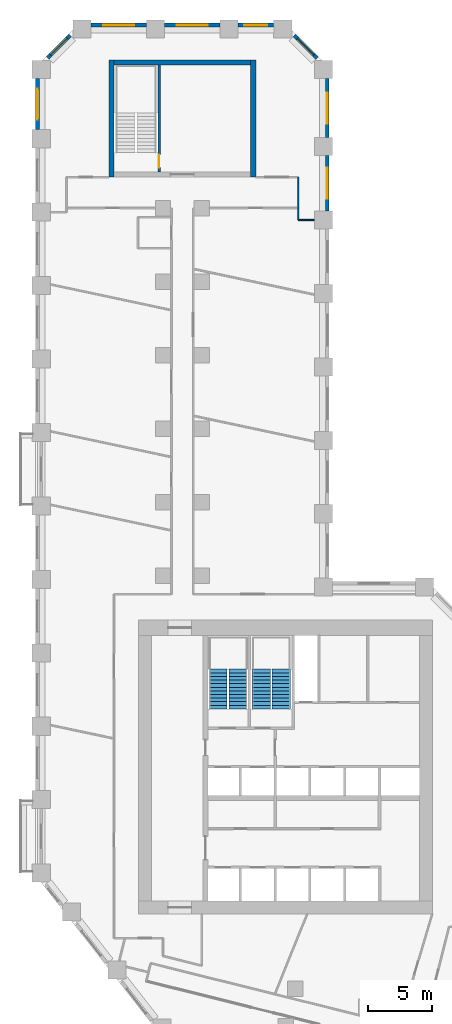
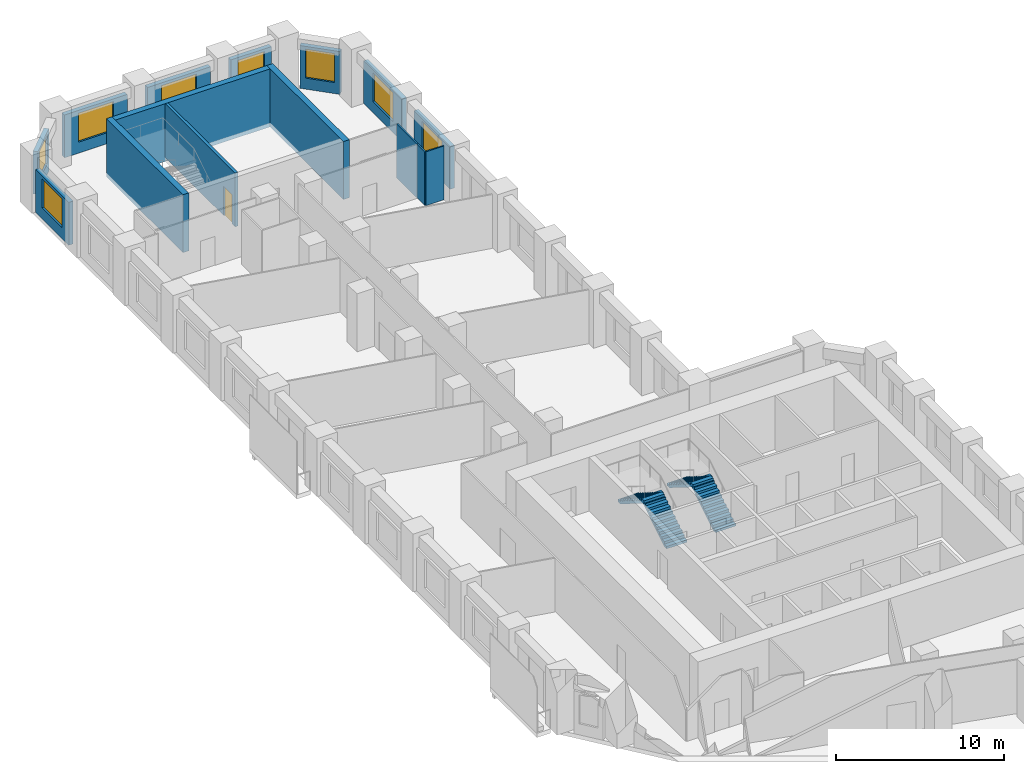
# One storey, part 9 of 11: 15 walls, 8 windows, 4 stair flights, 1 door, 9 openings, 2 elements without a shape of their own.
"""IFC4 building model written with IfcOpenShell, lengths in metres."""

from ifc_helpers import new_model, si_unit, direction, frame, frame_2d, origin, place, context, subcontext, project, spatial, polyline, rectangle, outline, extrude, material, layer, layer_set, type_object, element, fill, aggregate, save


model = new_model("IFC4")

# Units and contexts
model_context = context("Model", 3, precision=1e-05, world=origin(), true_north=direction((0.0, 1.0)))
body_context = subcontext(model_context, "Body", "Model", "MODEL_VIEW")
ifc_project = project(units=[si_unit("LENGTHUNIT", "METRE"), si_unit("AREAUNIT", "SQUARE_METRE"), si_unit("VOLUMEUNIT", "CUBIC_METRE"), si_unit("PLANEANGLEUNIT", "RADIAN"), si_unit("MASSUNIT", "GRAM", prefix="KILO")], contexts=[model_context])

# Site, building, storey
site_placement = place(None, origin())
site = spatial("IfcSite", under=ifc_project, at=site_placement, CompositionType="ELEMENT")
building_placement = place(site_placement, origin())
building = spatial("IfcBuilding", under=site, at=building_placement, Name="Meshkara Civic Tower", CompositionType="ELEMENT")
storey_placement = place(building_placement, frame((0.0, 0.0, 41.39990234375)))
storey = spatial("IfcBuildingStorey", under=building, at=storey_placement, Name="L08", CompositionType="ELEMENT", Elevation=41.39990234375)

# Wall
ifc_material_1 = material(Name="Corridor wall 100")
ifc_layer_1 = layer(ifc_material_1, 0.10009765625)
ifc_layer_set_1 = layer_set([ifc_layer_1], Name="Corridor wall 100")
wall_type_1 = type_object("IfcWallType", Name="Corridor wall 100", PredefinedType="PARTITIONING", material=ifc_layer_set_1)
wall_1_placement = place(storey_placement, frame((20.39990234375, 68.8701171875, 0.0), z_axis=(0.0, 0.0, 1.0), x_axis=(0.0, 1.0, 0.0)))
element("IfcWall", 1, at=wall_1_placement, inside=storey, type_object=wall_type_1, Name="L08-W016", PredefinedType="PARTITIONING", context=body_context, shape_type="SweptSolid", body=[
    extrude(rectangle(XDim=2.39990234375, YDim=0.10009765625, at=frame_2d((1.199951171875, 0.0))), origin(), (0.0, 0.0, 1.0), 3.900146484375),
])

# Wall, opening, window
ifc_material_2 = material(Name="Insulated infill panel with bronze anodised aluminium cladding", Category="aluminium")
ifc_layer_2 = layer(ifc_material_2, 0.300048828125)
ifc_layer_set_2 = layer_set([ifc_layer_2], Name="EXTERNAL INFILL WALL 300")
wall_type_2 = type_object("IfcWallType", Name="EXTERNAL INFILL WALL 300", PredefinedType="SOLIDWALL", material=ifc_layer_set_2)
wall_2_placement = place(storey_placement, frame((22.64990234375, 68.64990234375, 0.0), z_axis=(0.0, 0.0, 1.0), x_axis=(0.0, 1.0, 0.0)))
wall_2 = element("IfcWall", 2, at=wall_2_placement, inside=storey, type_object=wall_type_2, Name="External wall", PredefinedType="SOLIDWALL", context=body_context, shape_type="SweptSolid", body=[
    extrude(rectangle(XDim=4.300048828125, YDim=0.300048828125, at=frame_2d((2.14990234375, 0.0))), origin(), (0.0, 0.0, 1.0), 3.10009765625),
])
opening_1_placement = place(wall_2_placement, frame((0.949951171875, 0.0, 0.800048828125)))
opening_1 = element("IfcOpeningElement", 3, at=opening_1_placement, cuts=wall_2, Name="Opening W7", PredefinedType="OPENING", context=body_context, shape_type="SweptSolid", body=[
    extrude(rectangle(XDim=2.39990234375, YDim=2.10009765625, at=frame_2d((1.199951171875, 1.050048828125))), frame((0.0, 0.159912109375, 0.0), z_axis=(0.0, -1.0, 0.0), x_axis=(1.0, 0.0, 0.0)), (0.0, 0.0, 1.0), 0.320068359375),
])
ifc_material_3 = material(Name="Tinted double glazing", Category="glass")
window_type_1 = type_object("IfcWindowType", Name="WINDOW 2400x2100", PartitioningType="DOUBLE_PANEL_VERTICAL", PredefinedType="WINDOW", material=ifc_material_3)
window_1_placement = place(opening_1_placement, origin())
window_1 = element("IfcWindow", 4, at=window_1_placement, inside=storey, type_object=window_type_1, Name="Window", OverallHeight=2.10009765625, OverallWidth=2.39990234375, PartitioningType="DOUBLE_PANEL_VERTICAL", PredefinedType="WINDOW", context=body_context, shape_type="SweptSolid", body=[
    extrude(rectangle(XDim=2.39990234375, YDim=2.10009765625, at=frame_2d((1.199951171875, 1.050048828125))), frame((0.0, 0.030029296875, 0.0), z_axis=(0.0, -1.0, 0.0), x_axis=(1.0, 0.0, 0.0)), (0.0, 0.0, 1.0), 0.06005859375),
])
fill(opening_1, window_1)

wall_3_placement = place(storey_placement, frame((22.64990234375, 74.35009765625, 0.0), z_axis=(0.0, 0.0, 1.0), x_axis=(0.0, 1.0, 0.0)))
wall_3 = element("IfcWall", 5, at=wall_3_placement, inside=storey, type_object=wall_type_2, Name="External wall", PredefinedType="SOLIDWALL", context=body_context, shape_type="SweptSolid", body=[
    extrude(rectangle(XDim=4.56396484375, YDim=0.300048828125, at=frame_2d((2.281982421875, 0.0))), origin(), (0.0, 0.0, 1.0), 3.10009765625),
])
opening_2_placement = place(wall_3_placement, frame((1.08203125, 0.0, 0.800048828125)))
opening_2 = element("IfcOpeningElement", 6, at=opening_2_placement, cuts=wall_3, Name="Opening W7", PredefinedType="OPENING", context=body_context, shape_type="SweptSolid", body=[
    extrude(rectangle(XDim=2.39990234375, YDim=2.10009765625, at=frame_2d((1.199951171875, 1.050048828125))), frame((0.0, 0.159912109375, 0.0), z_axis=(0.0, -1.0, 0.0), x_axis=(1.0, 0.0, 0.0)), (0.0, 0.0, 1.0), 0.320068359375),
])
window_2_placement = place(opening_2_placement, origin())
window_2 = element("IfcWindow", 7, at=window_2_placement, inside=storey, type_object=window_type_1, Name="Window", OverallHeight=2.10009765625, OverallWidth=2.39990234375, PartitioningType="DOUBLE_PANEL_VERTICAL", PredefinedType="WINDOW", context=body_context, shape_type="SweptSolid", body=[
    extrude(rectangle(XDim=2.39990234375, YDim=2.10009765625, at=frame_2d((1.199951171875, 1.050048828125))), frame((0.0, 0.030029296875, 0.0), z_axis=(0.0, -1.0, 0.0), x_axis=(1.0, 0.0, 0.0)), (0.0, 0.0, 1.0), 0.06005859375),
])
fill(opening_2, window_2)

wall_4_placement = place(storey_placement, frame((21.862060546875, 80.52587890625, 0.0), z_axis=(0.0, 0.0, 1.0), x_axis=(-0.707106781187, 0.707106781187, 0.0)))
wall_4 = element("IfcWall", 8, at=wall_4_placement, inside=storey, type_object=wall_type_2, Name="External wall", PredefinedType="SOLIDWALL", context=body_context, shape_type="SweptSolid", body=[
    extrude(rectangle(XDim=2.4833984375, YDim=0.300048828125, at=frame_2d((1.24169921875, 0.0))), origin(), (0.0, 0.0, 1.0), 3.10009765625),
])
opening_3_placement = place(wall_4_placement, frame((0.342041015625, 0.0, 0.800048828125)))
opening_3 = element("IfcOpeningElement", 9, at=opening_3_placement, cuts=wall_4, Name="Opening W9", PredefinedType="OPENING", context=body_context, shape_type="SweptSolid", body=[
    extrude(rectangle(XDim=1.800048828125, YDim=2.10009765625, at=frame_2d((0.89990234375, 1.050048828125))), frame((0.0, 0.159912109375, 0.0), z_axis=(0.0, -1.0, 0.0), x_axis=(1.0, 0.0, 0.0)), (0.0, 0.0, 1.0), 0.320068359375),
])
ifc_material_4 = material(Name="Tinted double glazing", Category="glass")
window_type_2 = type_object("IfcWindowType", Name="WINDOW 1800x2100", PartitioningType="DOUBLE_PANEL_VERTICAL", PredefinedType="WINDOW", material=ifc_material_4)
window_3_placement = place(opening_3_placement, origin())
window_3 = element("IfcWindow", 10, at=window_3_placement, inside=storey, type_object=window_type_2, Name="Window", OverallHeight=2.10009765625, OverallWidth=1.800048828125, PartitioningType="DOUBLE_PANEL_VERTICAL", PredefinedType="WINDOW", context=body_context, shape_type="SweptSolid", body=[
    extrude(rectangle(XDim=1.800048828125, YDim=2.10009765625, at=frame_2d((0.89990234375, 1.050048828125))), frame((0.0, 0.030029296875, 0.0), z_axis=(0.0, -1.0, 0.0), x_axis=(1.0, 0.0, 0.0)), (0.0, 0.0, 1.0), 0.06005859375),
])
fill(opening_3, window_3)

wall_5_placement = place(storey_placement, frame((18.493896484375, 83.070068359375, 0.0), z_axis=(0.0, 0.0, 1.0), x_axis=(-1.0, 0.0, 0.0)))
wall_5 = element("IfcWall", 11, at=wall_5_placement, inside=storey, type_object=wall_type_2, Name="External wall", PredefinedType="SOLIDWALL", context=body_context, shape_type="SweptSolid", body=[
    extrude(rectangle(XDim=2.787841796875, YDim=0.300048828125, at=frame_2d((1.39404296875, 0.0))), origin(), (0.0, 0.0, 1.0), 3.10009765625),
])
opening_4_placement = place(wall_5_placement, frame((0.493896484375, 0.0, 0.800048828125)))
opening_4 = element("IfcOpeningElement", 12, at=opening_4_placement, cuts=wall_5, Name="Opening W9", PredefinedType="OPENING", context=body_context, shape_type="SweptSolid", body=[
    extrude(rectangle(XDim=1.800048828125, YDim=2.10009765625, at=frame_2d((0.89990234375, 1.050048828125))), frame((0.0, 0.159912109375, 0.0), z_axis=(0.0, -1.0, 0.0), x_axis=(1.0, 0.0, 0.0)), (0.0, 0.0, 1.0), 0.320068359375),
])
window_4_placement = place(opening_4_placement, origin())
window_4 = element("IfcWindow", 13, at=window_4_placement, inside=storey, type_object=window_type_2, Name="Window", OverallHeight=2.10009765625, OverallWidth=1.800048828125, PartitioningType="DOUBLE_PANEL_VERTICAL", PredefinedType="WINDOW", context=body_context, shape_type="SweptSolid", body=[
    extrude(rectangle(XDim=1.800048828125, YDim=2.10009765625, at=frame_2d((0.89990234375, 1.050048828125))), frame((0.0, 0.030029296875, 0.0), z_axis=(0.0, -1.0, 0.0), x_axis=(1.0, 0.0, 0.0)), (0.0, 0.0, 1.0), 0.06005859375),
])
fill(opening_4, window_4)

wall_6_placement = place(storey_placement, frame((14.305908203125, 83.070068359375, 0.0), z_axis=(0.0, 0.0, 1.0), x_axis=(-1.0, 0.0, 0.0)))
wall_6 = element("IfcWall", 14, at=wall_6_placement, inside=storey, type_object=wall_type_2, Name="External wall", PredefinedType="SOLIDWALL", context=body_context, shape_type="SweptSolid", body=[
    extrude(rectangle(XDim=4.2998046875, YDim=0.300048828125, at=frame_2d((2.14990234375, 0.0))), origin(), (0.0, 0.0, 1.0), 3.10009765625),
])
opening_5_placement = place(wall_6_placement, frame((0.949951171875, 0.0, 0.800048828125)))
opening_5 = element("IfcOpeningElement", 15, at=opening_5_placement, cuts=wall_6, Name="Opening W7", PredefinedType="OPENING", context=body_context, shape_type="SweptSolid", body=[
    extrude(rectangle(XDim=2.39990234375, YDim=2.10009765625, at=frame_2d((1.199951171875, 1.050048828125))), frame((0.0, 0.159912109375, 0.0), z_axis=(0.0, -1.0, 0.0), x_axis=(1.0, 0.0, 0.0)), (0.0, 0.0, 1.0), 0.320068359375),
])
window_5_placement = place(opening_5_placement, origin())
window_5 = element("IfcWindow", 16, at=window_5_placement, inside=storey, type_object=window_type_1, Name="Window", OverallHeight=2.10009765625, OverallWidth=2.39990234375, PartitioningType="DOUBLE_PANEL_VERTICAL", PredefinedType="WINDOW", context=body_context, shape_type="SweptSolid", body=[
    extrude(rectangle(XDim=2.39990234375, YDim=2.10009765625, at=frame_2d((1.199951171875, 1.050048828125))), frame((0.0, 0.030029296875, 0.0), z_axis=(0.0, -1.0, 0.0), x_axis=(1.0, 0.0, 0.0)), (0.0, 0.0, 1.0), 0.06005859375),
])
fill(opening_5, window_5)

wall_7_placement = place(storey_placement, frame((8.60595703125, 83.070068359375, 0.0), z_axis=(0.0, 0.0, 1.0), x_axis=(-1.0, 0.0, 0.0)))
wall_7 = element("IfcWall", 17, at=wall_7_placement, inside=storey, type_object=wall_type_2, Name="External wall", PredefinedType="SOLIDWALL", context=body_context, shape_type="SweptSolid", body=[
    extrude(rectangle(XDim=4.300048828125, YDim=0.300048828125, at=frame_2d((2.14990234375, 0.0))), origin(), (0.0, 0.0, 1.0), 3.10009765625),
])
opening_6_placement = place(wall_7_placement, frame((0.949951171875, 0.0, 0.800048828125)))
opening_6 = element("IfcOpeningElement", 18, at=opening_6_placement, cuts=wall_7, Name="Opening W7", PredefinedType="OPENING", context=body_context, shape_type="SweptSolid", body=[
    extrude(rectangle(XDim=2.39990234375, YDim=2.10009765625, at=frame_2d((1.199951171875, 1.050048828125))), frame((0.0, 0.159912109375, 0.0), z_axis=(0.0, -1.0, 0.0), x_axis=(1.0, 0.0, 0.0)), (0.0, 0.0, 1.0), 0.320068359375),
])
window_6_placement = place(opening_6_placement, origin())
window_6 = element("IfcWindow", 19, at=window_6_placement, inside=storey, type_object=window_type_1, Name="Window", OverallHeight=2.10009765625, OverallWidth=2.39990234375, PartitioningType="DOUBLE_PANEL_VERTICAL", PredefinedType="WINDOW", context=body_context, shape_type="SweptSolid", body=[
    extrude(rectangle(XDim=2.39990234375, YDim=2.10009765625, at=frame_2d((1.199951171875, 1.050048828125))), frame((0.0, 0.030029296875, 0.0), z_axis=(0.0, -1.0, 0.0), x_axis=(1.0, 0.0, 0.0)), (0.0, 0.0, 1.0), 0.06005859375),
])
fill(opening_6, window_6)

wall_8_placement = place(storey_placement, frame((2.694091796875, 82.281982421875, 0.0), z_axis=(0.0, 0.0, 1.0), x_axis=(-0.707106781187, -0.707106781187, 0.0)))
wall_8 = element("IfcWall", 20, at=wall_8_placement, inside=storey, type_object=wall_type_2, Name="External wall", PredefinedType="SOLIDWALL", context=body_context, shape_type="SweptSolid", body=[
    extrude(rectangle(XDim=2.4833984375, YDim=0.300048828125, at=frame_2d((1.24169921875, 0.0))), origin(), (0.0, 0.0, 1.0), 3.10009765625),
])
opening_7_placement = place(wall_8_placement, frame((0.342041015625, 0.0, 0.800048828125)))
opening_7 = element("IfcOpeningElement", 21, at=opening_7_placement, cuts=wall_8, Name="Opening W9", PredefinedType="OPENING", context=body_context, shape_type="SweptSolid", body=[
    extrude(rectangle(XDim=1.800048828125, YDim=2.10009765625, at=frame_2d((0.89990234375, 1.050048828125))), frame((0.0, 0.159912109375, 0.0), z_axis=(0.0, -1.0, 0.0), x_axis=(1.0, 0.0, 0.0)), (0.0, 0.0, 1.0), 0.320068359375),
])
window_7_placement = place(opening_7_placement, origin())
window_7 = element("IfcWindow", 22, at=window_7_placement, inside=storey, type_object=window_type_2, Name="Window", OverallHeight=2.10009765625, OverallWidth=1.800048828125, PartitioningType="DOUBLE_PANEL_VERTICAL", PredefinedType="WINDOW", context=body_context, shape_type="SweptSolid", body=[
    extrude(rectangle(XDim=1.800048828125, YDim=2.10009765625, at=frame_2d((0.89990234375, 1.050048828125))), frame((0.0, 0.030029296875, 0.0), z_axis=(0.0, -1.0, 0.0), x_axis=(1.0, 0.0, 0.0)), (0.0, 0.0, 1.0), 0.06005859375),
])
fill(opening_7, window_7)

wall_9_placement = place(storey_placement, frame((0.14990234375, 78.9140625, 0.0), z_axis=(0.0, 0.0, 1.0), x_axis=(0.0, -1.0, 0.0)))
wall_9 = element("IfcWall", 23, at=wall_9_placement, inside=storey, type_object=wall_type_2, Name="External wall", PredefinedType="SOLIDWALL", context=body_context, shape_type="SweptSolid", body=[
    extrude(rectangle(XDim=3.958984375, YDim=0.300048828125, at=frame_2d((1.9794921875, 0.0))), origin(), (0.0, 0.0, 1.0), 3.10009765625),
])
opening_8_placement = place(wall_9_placement, frame((0.780029296875, 0.0, 0.800048828125)))
opening_8 = element("IfcOpeningElement", 24, at=opening_8_placement, cuts=wall_9, Name="Opening W7", PredefinedType="OPENING", context=body_context, shape_type="SweptSolid", body=[
    extrude(rectangle(XDim=2.39990234375, YDim=2.10009765625, at=frame_2d((1.199951171875, 1.050048828125))), frame((0.0, 0.159912109375, 0.0), z_axis=(0.0, -1.0, 0.0), x_axis=(1.0, 0.0, 0.0)), (0.0, 0.0, 1.0), 0.320068359375),
])
window_8_placement = place(opening_8_placement, origin())
window_8 = element("IfcWindow", 25, at=window_8_placement, inside=storey, type_object=window_type_1, Name="Window", OverallHeight=2.10009765625, OverallWidth=2.39990234375, PartitioningType="DOUBLE_PANEL_VERTICAL", PredefinedType="WINDOW", context=body_context, shape_type="SweptSolid", body=[
    extrude(rectangle(XDim=2.39990234375, YDim=2.10009765625, at=frame_2d((1.199951171875, 1.050048828125))), frame((0.0, 0.030029296875, 0.0), z_axis=(0.0, -1.0, 0.0), x_axis=(1.0, 0.0, 0.0)), (0.0, 0.0, 1.0), 0.06005859375),
])
fill(opening_8, window_8)

# Walls
ifc_material_5 = material(Name="Concrete C80", Category="concrete")
ifc_layer_3 = layer(ifc_material_5, 0.39990234375)
ifc_layer_set_3 = layer_set([ifc_layer_3], Name="End core ring wall 400 C80")
wall_type_3 = type_object("IfcWallType", Name="End core ring wall 400 C80", PredefinedType="SHEAR", material=ifc_layer_set_3)
for number, where, z_axis, x_axis, name in (
    (26, (5.89990234375, 71.27001953125, -0.2998046875), (0.0, 0.0, 1.0), (0.0, 1.0, 0.0), "L08-C026"),
    (27, (16.89990234375, 71.27001953125, -0.2998046875), (0.0, 0.0, 1.0), (0.0, 1.0, 0.0), "L08-C027"),
):
    element("IfcWall", number, at=place(storey_placement, frame(where, z_axis=z_axis, x_axis=x_axis)), inside=storey, type_object=wall_type_3, Name=name, PredefinedType="SHEAR", context=body_context, shape_type="SweptSolid", body=[
        extrude(rectangle(XDim=9.10009765625, YDim=0.39990234375, at=frame_2d((4.550048828125, 0.0))), origin(), (0.0, 0.0, 1.0), 4.199951171875),
    ])
wall_10_placement = place(storey_placement, frame((6.10009765625, 80.169921875, -0.2998046875), z_axis=(0.0, 0.0, 1.0), x_axis=(1.0, 0.0, 0.0)))
element("IfcWall", 28, at=wall_10_placement, inside=storey, type_object=wall_type_3, Name="L08-C029", PredefinedType="SHEAR", context=body_context, shape_type="SweptSolid", body=[
    extrude(rectangle(XDim=10.599853515625, YDim=0.39990234375, at=frame_2d((5.2998046875, 0.0))), origin(), (0.0, 0.0, 1.0), 4.199951171875),
])
ifc_material_6 = material(Name="Partition 100")
ifc_layer_4 = layer(ifc_material_6, 0.10009765625)
ifc_layer_set_4 = layer_set([ifc_layer_4], Name="Partition 100")
wall_type_4 = type_object("IfcWallType", Name="Partition 100", PredefinedType="PARTITIONING", material=ifc_layer_set_4)
wall_11_placement = place(storey_placement, frame((20.39990234375, 67.949951171875, 0.0), z_axis=(0.0, 0.0, 1.0), x_axis=(0.0, 1.0, 0.0)))
element("IfcWall", 29, at=wall_11_placement, inside=storey, type_object=wall_type_4, Name="L08-W043", PredefinedType="PARTITIONING", context=body_context, shape_type="SweptSolid", body=[
    extrude(rectangle(XDim=0.924072265625, YDim=0.10009765625, at=frame_2d((0.4619140625, 0.0))), origin(), (0.0, 0.0, 1.0), 3.900146484375),
])
wall_12_placement = place(storey_placement, frame((21.64990234375, 67.949951171875, 0.0), z_axis=(0.0, 0.0, 1.0), x_axis=(-1.0, 0.0, 0.0)))
element("IfcWall", 30, at=wall_12_placement, inside=storey, type_object=wall_type_4, Name="L08-W046", PredefinedType="PARTITIONING", context=body_context, shape_type="SweptSolid", body=[
    extrude(rectangle(XDim=1.25, YDim=0.10009765625, at=frame_2d((0.625, 0.0))), origin(), (0.0, 0.0, 1.0), 3.900146484375),
])

# Wall, opening, door
ifc_material_7 = material(Name="Concrete C40/50", Category="concrete")
ifc_layer_5 = layer(ifc_material_7, 0.199951171875)
ifc_layer_set_5 = layer_set([ifc_layer_5], Name="Stair enclosure wall 200 C40/50")
wall_type_5 = type_object("IfcWallType", Name="Stair enclosure wall 200 C40/50", PredefinedType="SOLIDWALL", material=ifc_layer_set_5)
wall_13_placement = place(storey_placement, frame((9.60009765625, 71.669921875, 0.0), z_axis=(0.0, 0.0, 1.0), x_axis=(0.0, 1.0, 0.0)))
wall_13 = element("IfcWall", 31, at=wall_13_placement, inside=storey, type_object=wall_type_5, Name="L08-C030", PredefinedType="SOLIDWALL", context=body_context, shape_type="SweptSolid", body=[
    extrude(rectangle(XDim=8.300048828125, YDim=0.199951171875, at=frame_2d((4.14990234375, 0.0))), origin(), (0.0, 0.0, 1.0), 3.900146484375),
])
opening_9_placement = place(wall_13_placement, frame((0.35009765625, 0.0, 0.0)))
opening_9 = element("IfcOpeningElement", 32, at=opening_9_placement, cuts=wall_13, Name="Opening L08-K101", PredefinedType="OPENING", context=body_context, shape_type="SweptSolid", body=[
    extrude(rectangle(XDim=1.0, YDim=2.10009765625, at=frame_2d((0.5, 1.050048828125))), frame((0.0, 0.10986328125, 0.0), z_axis=(0.0, -1.0, 0.0), x_axis=(1.0, 0.0, 0.0)), (0.0, 0.0, 1.0), 0.219970703125),
])
ifc_material_8 = material(Name="Fire-rated door leaf in steel frame", Category="steel")
door_type = type_object("IfcDoorType", Name="Stair door 1000 EI 120", OperationType="SINGLE_SWING_LEFT", PredefinedType="DOOR", material=ifc_material_8)
door_placement = place(opening_9_placement, origin())
door = element("IfcDoor", 33, at=door_placement, inside=storey, type_object=door_type, Name="L08-K101", OperationType="SINGLE_SWING_RIGHT", OverallHeight=2.10009765625, OverallWidth=1.0, PredefinedType="DOOR", context=body_context, shape_type="SweptSolid", body=[
    extrude(rectangle(XDim=1.0, YDim=2.10009765625, at=frame_2d((0.5, 1.050048828125))), frame((0.0, 0.02490234375, 0.0), z_axis=(0.0, -1.0, 0.0), x_axis=(1.0, 0.0, 0.0)), (0.0, 0.0, 1.0), 0.050048828125),
])
fill(opening_9, door)

# Stair, stair flights
ifc_material_9 = material(Name="Precast concrete C40/50", Category="concrete")
stair_type = type_object("IfcStairType", Name="Exit stair half-turn 24 risers precast", PredefinedType="HALF_TURN_STAIR", material=ifc_material_9)
stair_1_placement = place(storey_placement, origin())
stair_1 = element("IfcStair", 34, at=stair_1_placement, inside=storey, type_object=stair_type, Name="L08 exit stair 1", PredefinedType="HALF_TURN_STAIR")
ifc_material_10 = material(Name="Precast concrete C40/50", Category="concrete")
stair_flight_type = type_object("IfcStairFlightType", Name="Exit stair flight 12 risers precast", PredefinedType="STRAIGHT", material=ifc_material_10)
stair_flight_1_placement = place(storey_placement, frame((15.72509765625, 30.0, 0.0), z_axis=(0.0, 0.0, 1.0), x_axis=(0.0, 1.0, 0.0)))
stair_flight_1 = element("IfcStairFlight", 35, at=stair_flight_1_placement, type_object=stair_flight_type, Name="ST1 flight 1", NumberOfRisers=12, NumberOfTreads=11, PredefinedType="STRAIGHT", RiserHeight=0.175, TreadLength=0.28, context=body_context, shape_type="SweptSolid", body=[
    extrude(outline(polyline([(0.0, 0.0), (0.0, 0.175048828125), (0.280029296875, 0.175048828125), (0.280029296875, 0.35009765625), (0.56005859375, 0.35009765625), (0.56005859375, 0.52490234375), (0.840087890625, 0.52490234375), (0.840087890625, 0.699951171875), (1.1201171875, 0.699951171875), (1.1201171875, 0.875), (1.39990234375, 0.875), (1.39990234375, 1.050048828125), (1.679931640625, 1.050048828125), (1.679931640625, 1.22509765625), (1.9599609375, 1.22509765625), (1.9599609375, 1.39990234375), (2.239990234375, 1.39990234375), (2.239990234375, 1.574951171875), (2.52001953125, 1.574951171875), (2.52001953125, 1.75), (2.800048828125, 1.75), (2.800048828125, 1.925048828125), (3.080078125, 1.925048828125), (3.080078125, 2.10009765625), (3.080078125, 1.748291015625), (0.28271484375, 0.0), (0.0, 0.0)])), frame((0.0, 0.699951171875, 0.0), z_axis=(0.0, -1.0, 0.0), x_axis=(1.0, 0.0, 0.0)), (0.0, 0.0, 1.0), 1.39990234375),
])
stair_flight_2_placement = place(storey_placement, frame((14.175048828125, 33.080078125, 2.10009765625), z_axis=(0.0, 0.0, 1.0), x_axis=(0.0, -1.0, 0.0)))
stair_flight_2 = element("IfcStairFlight", 36, at=stair_flight_2_placement, type_object=stair_flight_type, Name="ST1 flight 2", NumberOfRisers=12, NumberOfTreads=11, PredefinedType="STRAIGHT", RiserHeight=0.175, TreadLength=0.28, context=body_context, shape_type="SweptSolid", body=[
    extrude(outline(polyline([(0.0, 0.0), (0.0, 0.175048828125), (0.280029296875, 0.175048828125), (0.280029296875, 0.35009765625), (0.56005859375, 0.35009765625), (0.56005859375, 0.52490234375), (0.840087890625, 0.52490234375), (0.840087890625, 0.699951171875), (1.1201171875, 0.699951171875), (1.1201171875, 0.875), (1.39990234375, 0.875), (1.39990234375, 1.050048828125), (1.679931640625, 1.050048828125), (1.679931640625, 1.22509765625), (1.9599609375, 1.22509765625), (1.9599609375, 1.39990234375), (2.239990234375, 1.39990234375), (2.239990234375, 1.574951171875), (2.52001953125, 1.574951171875), (2.52001953125, 1.75), (2.800048828125, 1.75), (2.800048828125, 1.925048828125), (3.080078125, 1.925048828125), (3.080078125, 2.10009765625), (3.080078125, 1.748291015625), (0.28271484375, 0.0), (0.0, 0.0)])), frame((0.0, 0.699951171875, 0.0), z_axis=(0.0, -1.0, 0.0), x_axis=(1.0, 0.0, 0.0)), (0.0, 0.0, 1.0), 1.39990234375),
])
aggregate(stair_1, [stair_flight_1, stair_flight_2])

stair_2_placement = place(storey_placement, origin())
stair_2 = element("IfcStair", 37, at=stair_2_placement, inside=storey, type_object=stair_type, Name="L08 exit stair 2", PredefinedType="HALF_TURN_STAIR")
stair_flight_3_placement = place(storey_placement, frame((19.074951171875, 30.0, 0.0), z_axis=(0.0, 0.0, 1.0), x_axis=(0.0, 1.0, 0.0)))
stair_flight_3 = element("IfcStairFlight", 38, at=stair_flight_3_placement, type_object=stair_flight_type, Name="ST2 flight 1", NumberOfRisers=12, NumberOfTreads=11, PredefinedType="STRAIGHT", RiserHeight=0.175, TreadLength=0.28, context=body_context, shape_type="SweptSolid", body=[
    extrude(outline(polyline([(0.0, 0.0), (0.0, 0.175048828125), (0.280029296875, 0.175048828125), (0.280029296875, 0.35009765625), (0.56005859375, 0.35009765625), (0.56005859375, 0.52490234375), (0.840087890625, 0.52490234375), (0.840087890625, 0.699951171875), (1.1201171875, 0.699951171875), (1.1201171875, 0.875), (1.39990234375, 0.875), (1.39990234375, 1.050048828125), (1.679931640625, 1.050048828125), (1.679931640625, 1.22509765625), (1.9599609375, 1.22509765625), (1.9599609375, 1.39990234375), (2.239990234375, 1.39990234375), (2.239990234375, 1.574951171875), (2.52001953125, 1.574951171875), (2.52001953125, 1.75), (2.800048828125, 1.75), (2.800048828125, 1.925048828125), (3.080078125, 1.925048828125), (3.080078125, 2.10009765625), (3.080078125, 1.748291015625), (0.28271484375, 0.0), (0.0, 0.0)])), frame((0.0, 0.699951171875, 0.0), z_axis=(0.0, -1.0, 0.0), x_axis=(1.0, 0.0, 0.0)), (0.0, 0.0, 1.0), 1.39990234375),
])
stair_flight_4_placement = place(storey_placement, frame((17.52490234375, 33.080078125, 2.10009765625), z_axis=(0.0, 0.0, 1.0), x_axis=(0.0, -1.0, 0.0)))
stair_flight_4 = element("IfcStairFlight", 39, at=stair_flight_4_placement, type_object=stair_flight_type, Name="ST2 flight 2", NumberOfRisers=12, NumberOfTreads=11, PredefinedType="STRAIGHT", RiserHeight=0.175, TreadLength=0.28, context=body_context, shape_type="SweptSolid", body=[
    extrude(outline(polyline([(0.0, 0.0), (0.0, 0.175048828125), (0.280029296875, 0.175048828125), (0.280029296875, 0.35009765625), (0.56005859375, 0.35009765625), (0.56005859375, 0.52490234375), (0.840087890625, 0.52490234375), (0.840087890625, 0.699951171875), (1.1201171875, 0.699951171875), (1.1201171875, 0.875), (1.39990234375, 0.875), (1.39990234375, 1.050048828125), (1.679931640625, 1.050048828125), (1.679931640625, 1.22509765625), (1.9599609375, 1.22509765625), (1.9599609375, 1.39990234375), (2.239990234375, 1.39990234375), (2.239990234375, 1.574951171875), (2.52001953125, 1.574951171875), (2.52001953125, 1.75), (2.800048828125, 1.75), (2.800048828125, 1.925048828125), (3.080078125, 1.925048828125), (3.080078125, 2.10009765625), (3.080078125, 1.748291015625), (0.28271484375, 0.0), (0.0, 0.0)])), frame((0.0, 0.699951171875, 0.0), z_axis=(0.0, -1.0, 0.0), x_axis=(1.0, 0.0, 0.0)), (0.0, 0.0, 1.0), 1.39990234375),
])
aggregate(stair_2, [stair_flight_3, stair_flight_4])

save(model, "model.ifc")
